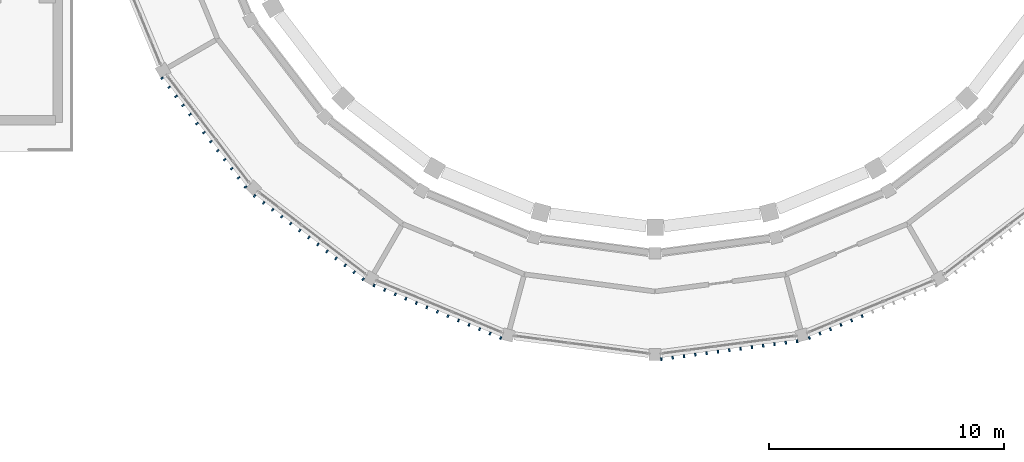
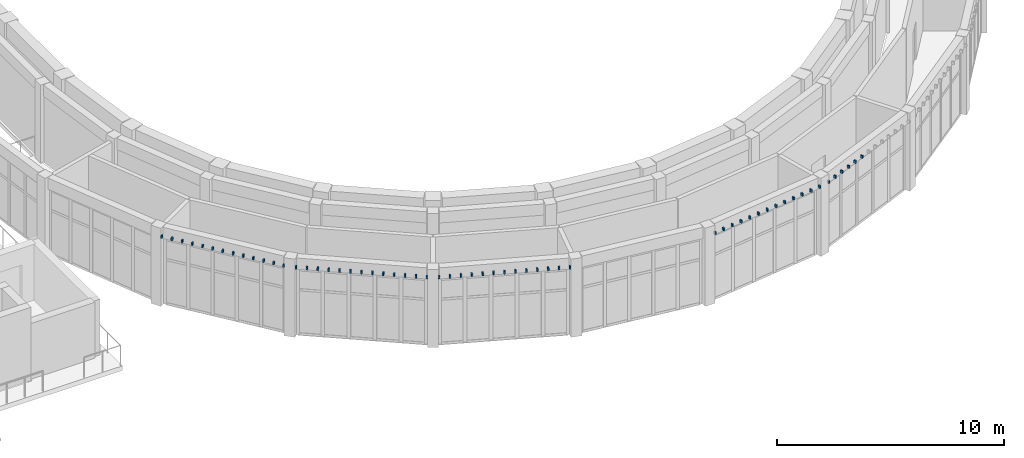
# One storey, part 72 of 99: 58 discrete accessories.
"""IFC4 building model written with IfcOpenShell, lengths in metres."""

from ifc_helpers import new_model, si_unit, direction, frame, origin, origin_2d, place, context, subcontext, project, spatial, rectangle, extrude, material, type_object, element, save


model = new_model("IFC4")

# Units and contexts
model_context = context("Model", 3, precision=1e-05, world=origin(), true_north=direction((0.0, 1.0)))
body_context = subcontext(model_context, "Body", "Model", "MODEL_VIEW")
ifc_project = project(units=[si_unit("LENGTHUNIT", "METRE"), si_unit("AREAUNIT", "SQUARE_METRE"), si_unit("VOLUMEUNIT", "CUBIC_METRE"), si_unit("PLANEANGLEUNIT", "RADIAN"), si_unit("MASSUNIT", "GRAM", prefix="KILO")], contexts=[model_context])

# Site, building, storey
site_placement = place(None, origin())
site = spatial("IfcSite", under=ifc_project, at=site_placement, CompositionType="ELEMENT")
building_placement = place(site_placement, origin())
building = spatial("IfcBuilding", under=site, at=building_placement, Name="Wasatch Bagh Community Centre", CompositionType="ELEMENT")
storey_placement = place(building_placement, frame((0.0, 0.0, 4.199951171875)))
storey = spatial("IfcBuildingStorey", under=building, at=storey_placement, Name="L01", CompositionType="ELEMENT", Elevation=4.199951171875)

# Discrete accessories
ifc_material = material(Name="ASTM A36 steel", Category="steel")
discrete_accessory_type = type_object("IfcDiscreteAccessoryType", Name="Drum fin bracket", PredefinedType="BRACKET", material=ifc_material)
for number, where, z_axis, x_axis, name in (
    (1, (15.046630859375, 22.589599609375, 3.675048828125), (0.0, 0.0, 1.0), (0.608761429009, -0.793353340291, 0.0), "Fin bracket 3.1.2"),
    (2, (15.341796875, 22.204833984375, 3.675048828125), (0.0, 0.0, 1.0), (0.608761429009, -0.793353340291, 0.0), "Fin bracket 3.2.2"),
    (3, (15.63720703125, 21.820068359375, 3.675048828125), (0.0, 0.0, 1.0), (0.608761429009, -0.793353340291, 0.0), "Fin bracket 3.3.2"),
    (4, (15.932373046875, 21.435302734375, 3.675048828125), (0.0, 0.0, 1.0), (0.608761429009, -0.793353340291, 0.0), "Fin bracket 3.4.2"),
    (5, (16.2275390625, 21.050537109375, 3.675048828125), (0.0, 0.0, 1.0), (0.608761429009, -0.793353340291, 0.0), "Fin bracket 3.5.2"),
    (6, (16.522705078125, 20.665771484375, 3.675048828125), (0.0, 0.0, 1.0), (0.608761429009, -0.793353340291, 0.0), "Fin bracket 3.6.2"),
    (7, (16.81787109375, 20.281005859375, 3.675048828125), (0.0, 0.0, 1.0), (0.608761429009, -0.793353340291, 0.0), "Fin bracket 3.7.2"),
    (8, (17.11328125, 19.896484375, 3.675048828125), (0.0, 0.0, 1.0), (0.608761429009, -0.793353340291, 0.0), "Fin bracket 3.8.2"),
    (9, (17.408447265625, 19.51171875, 3.675048828125), (0.0, 0.0, 1.0), (0.608761429009, -0.793353340291, 0.0), "Fin bracket 3.9.2"),
    (10, (17.70361328125, 19.126953125, 3.675048828125), (0.0, 0.0, 1.0), (0.608761429009, -0.793353340291, 0.0), "Fin bracket 3.10.2"),
    (11, (17.998779296875, 18.7421875, 3.675048828125), (0.0, 0.0, 1.0), (0.608761429009, -0.793353340291, 0.0), "Fin bracket 3.11.2"),
    (12, (18.294189453125, 18.357421875, 3.675048828125), (0.0, 0.0, 1.0), (0.608761429009, -0.793353340291, 0.0), "Fin bracket 3.12.2"),
    (13, (18.58935546875, 17.97265625, 3.675048828125), (0.0, 0.0, 1.0), (0.608761429009, -0.793353340291, 0.0), "Fin bracket 3.13.2"),
    (14, (18.97265625, 17.58935546875, 3.675048828125), (0.0, 0.0, 1.0), (0.793353340291, -0.608761429009, 0.0), "Fin bracket 4.1.2"),
    (15, (19.357421875, 17.294189453125, 3.675048828125), (0.0, 0.0, 1.0), (0.793353340291, -0.608761429009, 0.0), "Fin bracket 4.2.2"),
    (16, (19.7421875, 16.998779296875, 3.675048828125), (0.0, 0.0, 1.0), (0.793353340291, -0.608761429009, 0.0), "Fin bracket 4.3.2"),
    (17, (20.126953125, 16.70361328125, 3.675048828125), (0.0, 0.0, 1.0), (0.793353340291, -0.608761429009, 0.0), "Fin bracket 4.4.2"),
    (18, (20.51171875, 16.408447265625, 3.675048828125), (0.0, 0.0, 1.0), (0.793353340291, -0.608761429009, 0.0), "Fin bracket 4.5.2"),
    (19, (20.896484375, 16.11328125, 3.675048828125), (0.0, 0.0, 1.0), (0.793353340291, -0.608761429009, 0.0), "Fin bracket 4.6.2"),
    (20, (21.281005859375, 15.81787109375, 3.675048828125), (0.0, 0.0, 1.0), (0.793353340291, -0.608761429009, 0.0), "Fin bracket 4.7.2"),
    (21, (21.665771484375, 15.522705078125, 3.675048828125), (0.0, 0.0, 1.0), (0.793353340291, -0.608761429009, 0.0), "Fin bracket 4.8.2"),
    (22, (22.050537109375, 15.2275390625, 3.675048828125), (0.0, 0.0, 1.0), (0.793353340291, -0.608761429009, 0.0), "Fin bracket 4.9.2"),
    (23, (22.435302734375, 14.932373046875, 3.675048828125), (0.0, 0.0, 1.0), (0.793353340291, -0.608761429009, 0.0), "Fin bracket 4.10.2"),
    (24, (22.820068359375, 14.63720703125, 3.675048828125), (0.0, 0.0, 1.0), (0.793353340291, -0.608761429009, 0.0), "Fin bracket 4.11.2"),
    (25, (23.204833984375, 14.341796875, 3.675048828125), (0.0, 0.0, 1.0), (0.793353340291, -0.608761429009, 0.0), "Fin bracket 4.12.2"),
    (26, (23.589599609375, 14.046630859375, 3.675048828125), (0.0, 0.0, 1.0), (0.793353340291, -0.608761429009, 0.0), "Fin bracket 4.13.2"),
    (27, (24.05908203125, 13.775634765625, 3.675048828125), (0.0, 0.0, 1.0), (0.923879532511, -0.382683432365, 0.0), "Fin bracket 5.1.2"),
    (28, (24.507080078125, 13.590087890625, 3.675048828125), (0.0, 0.0, 1.0), (0.923879532511, -0.382683432365, 0.0), "Fin bracket 5.2.2"),
    (29, (24.955078125, 13.404296875, 3.675048828125), (0.0, 0.0, 1.0), (0.923879532511, -0.382683432365, 0.0), "Fin bracket 5.3.2"),
    (30, (25.4033203125, 13.21875, 3.675048828125), (0.0, 0.0, 1.0), (0.923879532511, -0.382683432365, 0.0), "Fin bracket 5.4.2"),
    (31, (25.851318359375, 13.033203125, 3.675048828125), (0.0, 0.0, 1.0), (0.923879532511, -0.382683432365, 0.0), "Fin bracket 5.5.2"),
    (32, (26.29931640625, 12.84765625, 3.675048828125), (0.0, 0.0, 1.0), (0.923879532511, -0.382683432365, 0.0), "Fin bracket 5.6.2"),
    (33, (26.747314453125, 12.662109375, 3.675048828125), (0.0, 0.0, 1.0), (0.923879532511, -0.382683432365, 0.0), "Fin bracket 5.7.2"),
    (34, (27.1953125, 12.4765625, 3.675048828125), (0.0, 0.0, 1.0), (0.923879532511, -0.382683432365, 0.0), "Fin bracket 5.8.2"),
    (35, (27.643310546875, 12.291015625, 3.675048828125), (0.0, 0.0, 1.0), (0.923879532511, -0.382683432365, 0.0), "Fin bracket 5.9.2"),
    (36, (28.091552734375, 12.105224609375, 3.675048828125), (0.0, 0.0, 1.0), (0.923879532511, -0.382683432365, 0.0), "Fin bracket 5.10.2"),
    (37, (28.53955078125, 11.919677734375, 3.675048828125), (0.0, 0.0, 1.0), (0.923879532511, -0.382683432365, 0.0), "Fin bracket 5.11.2"),
    (38, (28.987548828125, 11.734130859375, 3.675048828125), (0.0, 0.0, 1.0), (0.923879532511, -0.382683432365, 0.0), "Fin bracket 5.12.2"),
    (39, (29.435546875, 11.548583984375, 3.675048828125), (0.0, 0.0, 1.0), (0.923879532511, -0.382683432365, 0.0), "Fin bracket 5.13.2"),
    (40, (36.27099609375, 10.648681640625, 3.675048828125), (0.0, 0.0, 1.0), (0.991444861374, 0.13052619222, 0.0), "Fin bracket 7.1.2"),
    (41, (36.751953125, 10.7119140625, 3.675048828125), (0.0, 0.0, 1.0), (0.991444861374, 0.13052619222, 0.0), "Fin bracket 7.2.2"),
    (42, (37.232666015625, 10.775146484375, 3.675048828125), (0.0, 0.0, 1.0), (0.991444861374, 0.13052619222, 0.0), "Fin bracket 7.3.2"),
    (43, (37.71337890625, 10.838623046875, 3.675048828125), (0.0, 0.0, 1.0), (0.991444861374, 0.13052619222, 0.0), "Fin bracket 7.4.2"),
    (44, (38.1943359375, 10.90185546875, 3.675048828125), (0.0, 0.0, 1.0), (0.991444861374, 0.13052619222, 0.0), "Fin bracket 7.5.2"),
    (45, (38.675048828125, 10.965087890625, 3.675048828125), (0.0, 0.0, 1.0), (0.991444861374, 0.13052619222, 0.0), "Fin bracket 7.6.2"),
    (46, (39.156005859375, 11.028564453125, 3.675048828125), (0.0, 0.0, 1.0), (0.991444861374, 0.13052619222, 0.0), "Fin bracket 7.7.2"),
    (47, (39.63671875, 11.091796875, 3.675048828125), (0.0, 0.0, 1.0), (0.991444861374, 0.13052619222, 0.0), "Fin bracket 7.8.2"),
    (48, (40.117431640625, 11.155029296875, 3.675048828125), (0.0, 0.0, 1.0), (0.991444861374, 0.13052619222, 0.0), "Fin bracket 7.9.2"),
    (49, (40.598388671875, 11.21826171875, 3.675048828125), (0.0, 0.0, 1.0), (0.991444861374, 0.13052619222, 0.0), "Fin bracket 7.10.2"),
    (50, (41.0791015625, 11.28173828125, 3.675048828125), (0.0, 0.0, 1.0), (0.991444861374, 0.13052619222, 0.0), "Fin bracket 7.11.2"),
    (51, (41.56005859375, 11.344970703125, 3.675048828125), (0.0, 0.0, 1.0), (0.991444861374, 0.13052619222, 0.0), "Fin bracket 7.12.2"),
    (52, (42.040771484375, 11.408203125, 3.675048828125), (0.0, 0.0, 1.0), (0.991444861374, 0.13052619222, 0.0), "Fin bracket 7.13.2"),
    (53, (42.564453125, 11.548583984375, 3.675048828125), (0.0, 0.0, 1.0), (0.923879532511, 0.382683432365, 0.0), "Fin bracket 8.1.2"),
    (54, (43.012451171875, 11.734130859375, 3.675048828125), (0.0, 0.0, 1.0), (0.923879532511, 0.382683432365, 0.0), "Fin bracket 8.2.2"),
    (55, (43.46044921875, 11.919677734375, 3.675048828125), (0.0, 0.0, 1.0), (0.923879532511, 0.382683432365, 0.0), "Fin bracket 8.3.2"),
    (56, (43.908447265625, 12.105224609375, 3.675048828125), (0.0, 0.0, 1.0), (0.923879532511, 0.382683432365, 0.0), "Fin bracket 8.4.2"),
    (57, (44.356689453125, 12.291015625, 3.675048828125), (0.0, 0.0, 1.0), (0.923879532511, 0.382683432365, 0.0), "Fin bracket 8.5.2"),
    (58, (44.8046875, 12.4765625, 3.675048828125), (0.0, 0.0, 1.0), (0.923879532511, 0.382683432365, 0.0), "Fin bracket 8.6.2"),
):
    element("IfcDiscreteAccessory", number, at=place(storey_placement, frame(where, z_axis=z_axis, x_axis=x_axis)), inside=storey, type_object=discrete_accessory_type, Name=name, PredefinedType="BRACKET", context=body_context, shape_type="SweptSolid", body=[
        extrude(rectangle(XDim=0.070068359375, YDim=0.1201171875, at=origin_2d()), origin(), (0.0, 0.0, 1.0), 0.14990234375),
    ])

save(model, "model.ifc")
